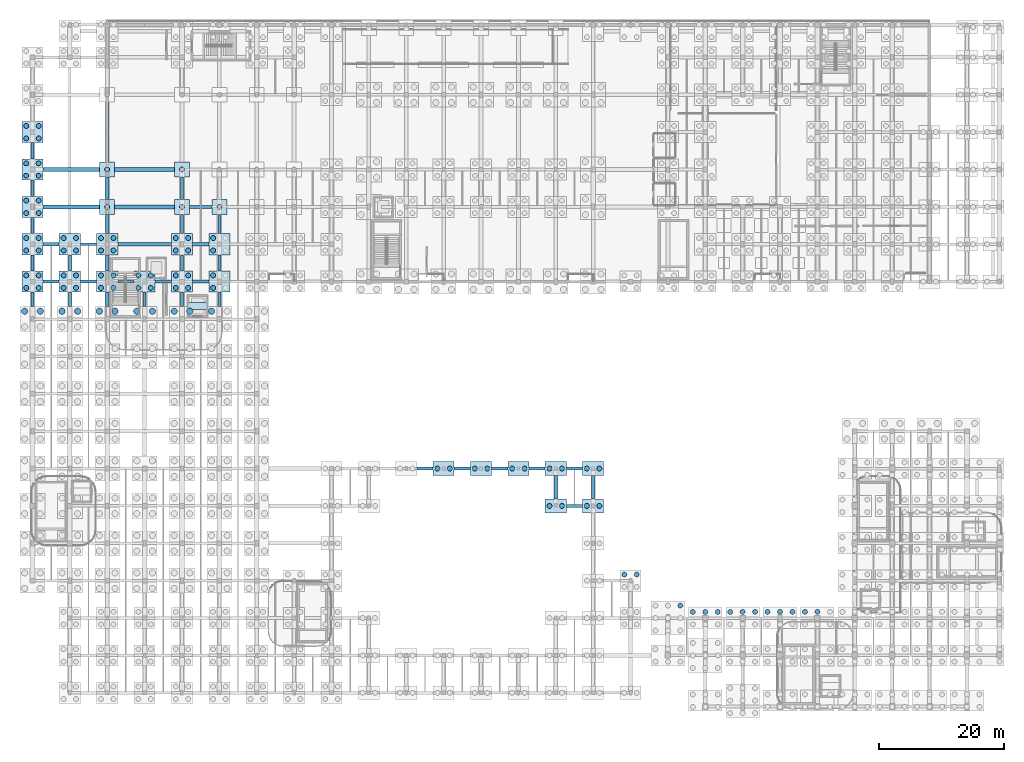
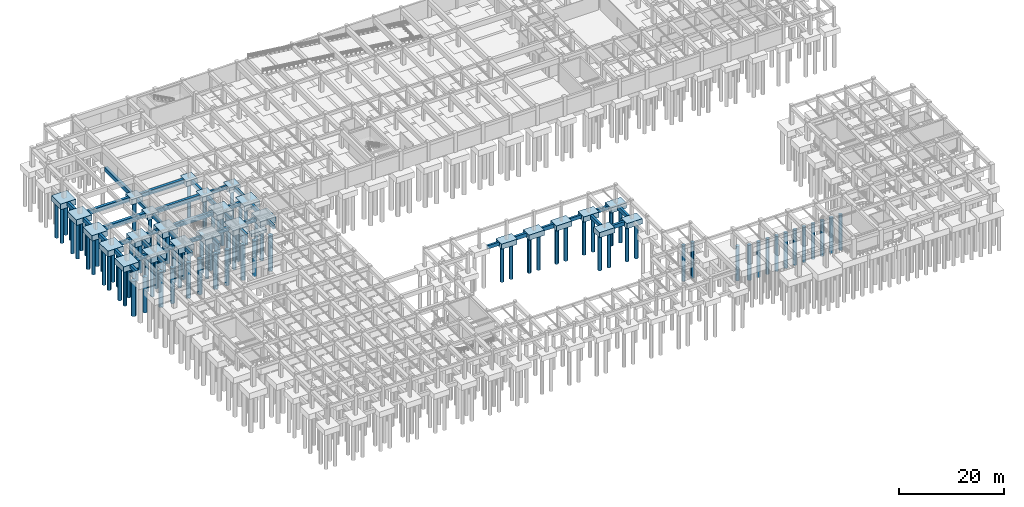
# One storey, part 4 of 32: 96 piles, 69 footings.
"""IFC4 building model written with IfcOpenShell, lengths in metres."""

from ifc_helpers import new_model, si_unit, direction, frame, origin, origin_2d, place, context, subcontext, project, spatial, rectangle, circle, extrude, material, material_profile, profile_set, type_object, element, save


model = new_model("IFC4")

# Units and contexts
model_context = context("Model", 3, precision=1e-05, world=origin(), true_north=direction((0.0, 1.0)))
body_context = subcontext(model_context, "Body", "Model", "MODEL_VIEW")
ifc_project = project(units=[si_unit("LENGTHUNIT", "METRE"), si_unit("AREAUNIT", "SQUARE_METRE"), si_unit("VOLUMEUNIT", "CUBIC_METRE"), si_unit("PLANEANGLEUNIT", "RADIAN"), si_unit("MASSUNIT", "GRAM", prefix="KILO")], contexts=[model_context])

# Site, building, storey
site_placement = place(None, origin())
site = spatial("IfcSite", under=ifc_project, at=site_placement, CompositionType="ELEMENT")
building_placement = place(site_placement, origin())
building = spatial("IfcBuilding", under=site, at=building_placement, Name="Varnakota Square Police Headquarters", CompositionType="ELEMENT")
storey_placement = place(building_placement, frame((0.0, 0.0, -4.5)))
storey = spatial("IfcBuildingStorey", under=building, at=storey_placement, Name="B1", CompositionType="ELEMENT", Elevation=-4.5)

# Footings
ifc_material_1 = material(Name="Concrete M40", Category="concrete")
ifc_material_profile_1 = material_profile(ifc_material_1, rectangle(XDim=0.5, YDim=0.89990234375, at=origin_2d()), Name="GB 500x900")
ifc_profile_set_1 = profile_set([ifc_material_profile_1], Name="Concrete M40")
footing_type_1 = type_object("IfcFootingType", Name="FT-GB1", PredefinedType="FOOTING_BEAM", material=ifc_profile_set_1)
for number, where, z_axis, x_axis, name in (
    (1, (91.699951171875, 33.0, -0.449951171875), (1.0, 0.0, 0.0), (0.0, 1.0, 0.0), "Ground tie beam GB-0047"),
    (2, (73.699951171875, 39.0, -0.449951171875), (1.0, 0.0, 0.0), (0.0, 1.0, 0.0), "Ground tie beam GB-0052"),
    (3, (79.699951171875, 39.0, -0.449951171875), (1.0, 0.0, 0.0), (0.0, 1.0, 0.0), "Ground tie beam GB-0053"),
    (4, (91.699951171875, 39.0, -0.449951171875), (1.0, 0.0, 0.0), (0.0, 1.0, 0.0), "Ground tie beam GB-0055"),
    (5, (7.699951171875, 69.0, -0.449951171875), (1.0, 0.0, 0.0), (0.0, 1.0, 0.0), "Ground tie beam GB-0058"),
    (6, (13.699951171875, 69.0, -0.449951171875), (1.0, 0.0, 0.0), (0.0, 1.0, 0.0), "Ground tie beam GB-0059"),
    (7, (25.699951171875, 69.0, -0.449951171875), (1.0, 0.0, 0.0), (0.0, 1.0, 0.0), "Ground tie beam GB-0061"),
    (8, (31.699951171875, 69.0, -0.449951171875), (1.0, 0.0, 0.0), (0.0, 1.0, 0.0), "Ground tie beam GB-0062"),
    (9, (7.699951171875, 75.0, -0.449951171875), (1.0, 0.0, 0.0), (0.0, 1.0, 0.0), "Ground tie beam GB-0077"),
    (10, (31.699951171875, 75.0, -0.449951171875), (1.0, 0.0, 0.0), (0.0, 1.0, 0.0), "Ground tie beam GB-0080"),
):
    element("IfcFooting", number, at=place(storey_placement, frame(where, z_axis=z_axis, x_axis=x_axis)), inside=storey, type_object=footing_type_1, Name=name, PredefinedType="FOOTING_BEAM", context=body_context, shape_type="SweptSolid", body=[
        extrude(rectangle(XDim=0.5, YDim=0.89990234375, at=origin_2d()), origin(), (0.0, 0.0, 1.0), 2.60009765625),
    ])
footing_1_placement = place(storey_placement, frame((6.0, 65.0, -0.449951171875), z_axis=(0.0, 1.0, 0.0), x_axis=(-1.0, 0.0, 0.0)))
element("IfcFooting", 11, at=footing_1_placement, inside=storey, type_object=footing_type_1, Name="Ground tie beam GB-0183", PredefinedType="FOOTING_BEAM", context=body_context, shape_type="SweptSolid", body=[
    extrude(rectangle(XDim=0.5, YDim=0.89990234375, at=origin_2d()), origin(), (0.0, 0.0, 1.0), 2.300048828125),
])
for number, where, z_axis, x_axis, name in (
    (12, (6.0, 70.699951171875, -0.449951171875), (0.0, 1.0, 0.0), (-1.0, 0.0, 0.0), "Ground tie beam GB-0184"),
    (13, (6.0, 76.699951171875, -0.449951171875), (0.0, 1.0, 0.0), (-1.0, 0.0, 0.0), "Ground tie beam GB-0185"),
    (14, (6.0, 82.699951171875, -0.449951171875), (0.0, 1.0, 0.0), (-1.0, 0.0, 0.0), "Ground tie beam GB-0186"),
    (15, (6.0, 88.699951171875, -0.449951171875), (0.0, 1.0, 0.0), (-1.0, 0.0, 0.0), "Ground tie beam GB-0187"),
):
    element("IfcFooting", number, at=place(storey_placement, frame(where, z_axis=z_axis, x_axis=x_axis)), inside=storey, type_object=footing_type_1, Name=name, PredefinedType="FOOTING_BEAM", context=body_context, shape_type="SweptSolid", body=[
        extrude(rectangle(XDim=0.5, YDim=0.89990234375, at=origin_2d()), origin(), (0.0, 0.0, 1.0), 2.60009765625),
    ])
footing_2_placement = place(storey_placement, frame((12.0, 65.0, -0.449951171875), z_axis=(0.0, 1.0, 0.0), x_axis=(-1.0, 0.0, 0.0)))
element("IfcFooting", 16, at=footing_2_placement, inside=storey, type_object=footing_type_1, Name="Ground tie beam GB-0193", PredefinedType="FOOTING_BEAM", context=body_context, shape_type="SweptSolid", body=[
    extrude(rectangle(XDim=0.5, YDim=0.89990234375, at=origin_2d()), origin(), (0.0, 0.0, 1.0), 2.300048828125),
])
footing_3_placement = place(storey_placement, frame((12.0, 70.699951171875, -0.449951171875), z_axis=(0.0, 1.0, 0.0), x_axis=(-1.0, 0.0, 0.0)))
element("IfcFooting", 17, at=footing_3_placement, inside=storey, type_object=footing_type_1, Name="Ground tie beam GB-0194", PredefinedType="FOOTING_BEAM", context=body_context, shape_type="SweptSolid", body=[
    extrude(rectangle(XDim=0.5, YDim=0.89990234375, at=origin_2d()), origin(), (0.0, 0.0, 1.0), 2.60009765625),
])
footing_4_placement = place(storey_placement, frame((18.0, 65.0, -0.449951171875), z_axis=(0.0, 1.0, 0.0), x_axis=(-1.0, 0.0, 0.0)))
element("IfcFooting", 18, at=footing_4_placement, inside=storey, type_object=footing_type_1, Name="Ground tie beam GB-0198", PredefinedType="FOOTING_BEAM", context=body_context, shape_type="SweptSolid", body=[
    extrude(rectangle(XDim=0.5, YDim=0.89990234375, at=origin_2d()), origin(), (0.0, 0.0, 1.0), 2.300048828125),
])
footing_5_placement = place(storey_placement, frame((18.0, 70.699951171875, -0.449951171875), z_axis=(0.0, 1.0, 0.0), x_axis=(-1.0, 0.0, 0.0)))
element("IfcFooting", 19, at=footing_5_placement, inside=storey, type_object=footing_type_1, Name="Ground tie beam GB-0199", PredefinedType="FOOTING_BEAM", context=body_context, shape_type="SweptSolid", body=[
    extrude(rectangle(XDim=0.5, YDim=0.89990234375, at=origin_2d()), origin(), (0.0, 0.0, 1.0), 2.60009765625),
])
footing_6_placement = place(storey_placement, frame((18.0, 76.699951171875, -0.449951171875), z_axis=(0.0, 1.0, 0.0), x_axis=(-1.0, 0.0, 0.0)))
element("IfcFooting", 20, at=footing_6_placement, inside=storey, type_object=footing_type_1, Name="Ground tie beam GB-0200", PredefinedType="FOOTING_BEAM", context=body_context, shape_type="SweptSolid", body=[
    extrude(rectangle(XDim=0.5, YDim=0.89990234375, at=origin_2d()), origin(), (0.0, 0.0, 1.0), 3.10009765625),
])
footing_7_placement = place(storey_placement, frame((18.0, 82.199951171875, -0.449951171875), z_axis=(0.0, 1.0, 0.0), x_axis=(-1.0, 0.0, 0.0)))
element("IfcFooting", 21, at=footing_7_placement, inside=storey, type_object=footing_type_1, Name="Ground tie beam GB-0201", PredefinedType="FOOTING_BEAM", context=body_context, shape_type="SweptSolid", body=[
    extrude(rectangle(XDim=0.5, YDim=0.89990234375, at=origin_2d()), origin(), (0.0, 0.0, 1.0), 3.60009765625),
])
for number, where, z_axis, x_axis, name in (
    (22, (24.0, 65.0, -0.449951171875), (0.0, 1.0, 0.0), (-1.0, 0.0, 0.0), "Ground tie beam GB-0208"),
    (23, (30.0, 65.0, -0.449951171875), (0.0, 1.0, 0.0), (-1.0, 0.0, 0.0), "Ground tie beam GB-0212"),
):
    element("IfcFooting", number, at=place(storey_placement, frame(where, z_axis=z_axis, x_axis=x_axis)), inside=storey, type_object=footing_type_1, Name=name, PredefinedType="FOOTING_BEAM", context=body_context, shape_type="SweptSolid", body=[
        extrude(rectangle(XDim=0.5, YDim=0.89990234375, at=origin_2d()), origin(), (0.0, 0.0, 1.0), 2.300048828125),
    ])
footing_8_placement = place(storey_placement, frame((30.0, 70.699951171875, -0.449951171875), z_axis=(0.0, 1.0, 0.0), x_axis=(-1.0, 0.0, 0.0)))
element("IfcFooting", 24, at=footing_8_placement, inside=storey, type_object=footing_type_1, Name="Ground tie beam GB-0213", PredefinedType="FOOTING_BEAM", context=body_context, shape_type="SweptSolid", body=[
    extrude(rectangle(XDim=0.5, YDim=0.89990234375, at=origin_2d()), origin(), (0.0, 0.0, 1.0), 2.60009765625),
])
footing_9_placement = place(storey_placement, frame((30.0, 76.699951171875, -0.449951171875), z_axis=(0.0, 1.0, 0.0), x_axis=(-1.0, 0.0, 0.0)))
element("IfcFooting", 25, at=footing_9_placement, inside=storey, type_object=footing_type_1, Name="Ground tie beam GB-0214", PredefinedType="FOOTING_BEAM", context=body_context, shape_type="SweptSolid", body=[
    extrude(rectangle(XDim=0.5, YDim=0.89990234375, at=origin_2d()), origin(), (0.0, 0.0, 1.0), 3.10009765625),
])
footing_10_placement = place(storey_placement, frame((30.0, 82.199951171875, -0.449951171875), z_axis=(0.0, 1.0, 0.0), x_axis=(-1.0, 0.0, 0.0)))
element("IfcFooting", 26, at=footing_10_placement, inside=storey, type_object=footing_type_1, Name="Ground tie beam GB-0215", PredefinedType="FOOTING_BEAM", context=body_context, shape_type="SweptSolid", body=[
    extrude(rectangle(XDim=0.5, YDim=0.89990234375, at=origin_2d()), origin(), (0.0, 0.0, 1.0), 3.60009765625),
])
footing_11_placement = place(storey_placement, frame((36.0, 65.0, -0.449951171875), z_axis=(0.0, 1.0, 0.0), x_axis=(-1.0, 0.0, 0.0)))
element("IfcFooting", 27, at=footing_11_placement, inside=storey, type_object=footing_type_1, Name="Ground tie beam GB-0221", PredefinedType="FOOTING_BEAM", context=body_context, shape_type="SweptSolid", body=[
    extrude(rectangle(XDim=0.5, YDim=0.89990234375, at=origin_2d()), origin(), (0.0, 0.0, 1.0), 2.300048828125),
])
footing_12_placement = place(storey_placement, frame((36.0, 70.699951171875, -0.449951171875), z_axis=(0.0, 1.0, 0.0), x_axis=(-1.0, 0.0, 0.0)))
element("IfcFooting", 28, at=footing_12_placement, inside=storey, type_object=footing_type_1, Name="Ground tie beam GB-0222", PredefinedType="FOOTING_BEAM", context=body_context, shape_type="SweptSolid", body=[
    extrude(rectangle(XDim=0.5, YDim=0.89990234375, at=origin_2d()), origin(), (0.0, 0.0, 1.0), 2.60009765625),
])
footing_13_placement = place(storey_placement, frame((36.0, 76.699951171875, -0.449951171875), z_axis=(0.0, 1.0, 0.0), x_axis=(-1.0, 0.0, 0.0)))
element("IfcFooting", 29, at=footing_13_placement, inside=storey, type_object=footing_type_1, Name="Ground tie beam GB-0223", PredefinedType="FOOTING_BEAM", context=body_context, shape_type="SweptSolid", body=[
    extrude(rectangle(XDim=0.5, YDim=0.89990234375, at=origin_2d()), origin(), (0.0, 0.0, 1.0), 3.10009765625),
])
for number, where, z_axis, x_axis, name in (
    (30, (90.0, 34.10009765625, -0.449951171875), (0.0, 1.0, 0.0), (-1.0, 0.0, 0.0), "Ground tie beam GB-0283"),
    (31, (96.0, 34.10009765625, -0.449951171875), (0.0, 1.0, 0.0), (-1.0, 0.0, 0.0), "Ground tie beam GB-0293"),
):
    element("IfcFooting", number, at=place(storey_placement, frame(where, z_axis=z_axis, x_axis=x_axis)), inside=storey, type_object=footing_type_1, Name=name, PredefinedType="FOOTING_BEAM", context=body_context, shape_type="SweptSolid", body=[
        extrude(rectangle(XDim=0.5, YDim=0.89990234375, at=origin_2d()), origin(), (0.0, 0.0, 1.0), 3.7998046875),
    ])
ifc_material_profile_2 = material_profile(ifc_material_1, rectangle(XDim=0.60009765625, YDim=1.0, at=origin_2d()), Name="GB 600x1000")
ifc_profile_set_2 = profile_set([ifc_material_profile_2], Name="Concrete M40")
footing_type_2 = type_object("IfcFootingType", Name="FT-GB2", PredefinedType="FOOTING_BEAM", material=ifc_profile_set_2)
footing_14_placement = place(storey_placement, frame((19.699951171875, 75.0, -0.5), z_axis=(1.0, 0.0, 0.0), x_axis=(0.0, 1.0, 0.0)))
element("IfcFooting", 32, at=footing_14_placement, inside=storey, type_object=footing_type_2, Name="Ground tie beam GB-0079", PredefinedType="FOOTING_BEAM", context=body_context, shape_type="SweptSolid", body=[
    extrude(rectangle(XDim=0.60009765625, YDim=1.0, at=origin_2d()), origin(), (0.0, 0.0, 1.0), 8.60009765625),
])
footing_15_placement = place(storey_placement, frame((7.699951171875, 81.0, -0.5), z_axis=(1.0, 0.0, 0.0), x_axis=(0.0, 1.0, 0.0)))
element("IfcFooting", 33, at=footing_15_placement, inside=storey, type_object=footing_type_2, Name="Ground tie beam GB-0091", PredefinedType="FOOTING_BEAM", context=body_context, shape_type="SweptSolid", body=[
    extrude(rectangle(XDim=0.60009765625, YDim=1.0, at=origin_2d()), origin(), (0.0, 0.0, 1.0), 9.10009765625),
])
footing_16_placement = place(storey_placement, frame((19.199951171875, 81.0, -0.5), z_axis=(1.0, 0.0, 0.0), x_axis=(0.0, 1.0, 0.0)))
element("IfcFooting", 34, at=footing_16_placement, inside=storey, type_object=footing_type_2, Name="Ground tie beam GB-0092", PredefinedType="FOOTING_BEAM", context=body_context, shape_type="SweptSolid", body=[
    extrude(rectangle(XDim=0.60009765625, YDim=1.0, at=origin_2d()), origin(), (0.0, 0.0, 1.0), 9.60009765625),
])
footing_17_placement = place(storey_placement, frame((7.699951171875, 87.0, -0.5), z_axis=(1.0, 0.0, 0.0), x_axis=(0.0, 1.0, 0.0)))
element("IfcFooting", 35, at=footing_17_placement, inside=storey, type_object=footing_type_2, Name="Ground tie beam GB-0113", PredefinedType="FOOTING_BEAM", context=body_context, shape_type="SweptSolid", body=[
    extrude(rectangle(XDim=0.60009765625, YDim=1.0, at=origin_2d()), origin(), (0.0, 0.0, 1.0), 9.10009765625),
])
for number, where, z_axis, x_axis, name in (
    (36, (19.199951171875, 87.0, -0.5), (1.0, 0.0, 0.0), (0.0, 1.0, 0.0), "Ground tie beam GB-0114"),
    (37, (18.0, 88.199951171875, -0.5), (0.0, 1.0, 0.0), (-1.0, 0.0, 0.0), "Ground tie beam GB-0202"),
):
    element("IfcFooting", number, at=place(storey_placement, frame(where, z_axis=z_axis, x_axis=x_axis)), inside=storey, type_object=footing_type_2, Name=name, PredefinedType="FOOTING_BEAM", context=body_context, shape_type="SweptSolid", body=[
        extrude(rectangle(XDim=0.60009765625, YDim=1.0, at=origin_2d()), origin(), (0.0, 0.0, 1.0), 9.60009765625),
    ])
ifc_material_profile_3 = material_profile(ifc_material_1, rectangle(XDim=0.449951171875, YDim=0.800048828125, at=origin_2d()), Name="GB 450x800")
ifc_profile_set_3 = profile_set([ifc_material_profile_3], Name="Concrete M40")
footing_type_3 = type_object("IfcFootingType", Name="FT-GB3", PredefinedType="FOOTING_BEAM", material=ifc_profile_set_3)
for number, where, z_axis, x_axis, name in (
    (38, (67.699951171875, 39.0, -0.39990234375), (1.0, 0.0, 0.0), (0.0, 1.0, 0.0), "Ground tie beam GB-0051"),
    (39, (85.699951171875, 39.0, -0.39990234375), (1.0, 0.0, 0.0), (0.0, 1.0, 0.0), "Ground tie beam GB-0054"),
    (40, (19.699951171875, 69.0, -0.39990234375), (1.0, 0.0, 0.0), (0.0, 1.0, 0.0), "Ground tie beam GB-0060"),
    (41, (13.699951171875, 75.0, -0.39990234375), (1.0, 0.0, 0.0), (0.0, 1.0, 0.0), "Ground tie beam GB-0078"),
):
    element("IfcFooting", number, at=place(storey_placement, frame(where, z_axis=z_axis, x_axis=x_axis)), inside=storey, type_object=footing_type_3, Name=name, PredefinedType="FOOTING_BEAM", context=body_context, shape_type="SweptSolid", body=[
        extrude(rectangle(XDim=0.449951171875, YDim=0.800048828125, at=origin_2d()), origin(), (0.0, 0.0, 1.0), 2.60009765625),
    ])
footing_18_placement = place(storey_placement, frame((31.199951171875, 81.0, -0.39990234375), z_axis=(1.0, 0.0, 0.0), x_axis=(0.0, 1.0, 0.0)))
element("IfcFooting", 42, at=footing_18_placement, inside=storey, type_object=footing_type_3, Name="Ground tie beam GB-0093", PredefinedType="FOOTING_BEAM", context=body_context, shape_type="SweptSolid", body=[
    extrude(rectangle(XDim=0.449951171875, YDim=0.800048828125, at=origin_2d()), origin(), (0.0, 0.0, 1.0), 3.60009765625),
])
footing_type_4 = type_object("IfcFootingType", Name="FT-PC1", PredefinedType="PILE_CAP", material=ifc_material_1)
for number, where, z_axis, x_axis, name in (
    (43, (18.0, 81.0, -1.2001953125), (0.0, 0.0, 1.0), (1.0, 0.0, 0.0), "Pile cap CAP-X0180-Y0810"),
    (44, (18.0, 87.0, -1.2001953125), (0.0, 0.0, 1.0), (1.0, 0.0, 0.0), "Pile cap CAP-X0180-Y0870"),
    (45, (30.0, 81.0, -1.2001953125), (0.0, 0.0, 1.0), (1.0, 0.0, 0.0), "Pile cap CAP-X0300-Y0810"),
    (46, (30.0, 87.0, -1.2001953125), (0.0, 0.0, 1.0), (1.0, 0.0, 0.0), "Pile cap CAP-X0300-Y0870"),
    (47, (36.0, 81.0, -1.2001953125), (0.0, 0.0, 1.0), (1.0, 0.0, 0.0), "Pile cap CAP-X0360-Y0810"),
):
    element("IfcFooting", number, at=place(storey_placement, frame(where, z_axis=z_axis, x_axis=x_axis)), inside=storey, type_object=footing_type_4, Name=name, PredefinedType="PILE_CAP", context=body_context, shape_type="SweptSolid", body=[
        extrude(rectangle(XDim=2.39990234375, YDim=2.39990234375, at=origin_2d()), origin(), (0.0, 0.0, 1.0), 1.199951171875),
    ])
footing_type_5 = type_object("IfcFootingType", Name="FT-PC2", PredefinedType="PILE_CAP", material=ifc_material_1)
for number, where, z_axis, x_axis, name in (
    (48, (72.0, 39.0, -1.2001953125), (0.0, 0.0, 1.0), (1.0, 0.0, 0.0), "Pile cap CAP-X0720-Y0390"),
    (49, (78.0, 39.0, -1.2001953125), (0.0, 0.0, 1.0), (1.0, 0.0, 0.0), "Pile cap CAP-X0780-Y0390"),
    (50, (84.0, 39.0, -1.2001953125), (0.0, 0.0, 1.0), (1.0, 0.0, 0.0), "Pile cap CAP-X0840-Y0390"),
    (51, (90.0, 33.0, -1.2001953125), (0.0, 0.0, 1.0), (1.0, 0.0, 0.0), "Pile cap CAP-X0900-Y0330"),
    (52, (90.0, 39.0, -1.2001953125), (0.0, 0.0, 1.0), (1.0, 0.0, 0.0), "Pile cap CAP-X0900-Y0390"),
    (53, (96.0, 33.0, -1.2001953125), (0.0, 0.0, 1.0), (1.0, 0.0, 0.0), "Pile cap CAP-X0960-Y0330"),
    (54, (96.0, 39.0, -1.2001953125), (0.0, 0.0, 1.0), (1.0, 0.0, 0.0), "Pile cap CAP-X0960-Y0390"),
):
    element("IfcFooting", number, at=place(storey_placement, frame(where, z_axis=z_axis, x_axis=x_axis)), inside=storey, type_object=footing_type_5, Name=name, PredefinedType="PILE_CAP", context=body_context, shape_type="SweptSolid", body=[
        extrude(rectangle(XDim=3.39990234375, YDim=2.199951171875, at=origin_2d()), origin(), (0.0, 0.0, 1.0), 1.199951171875),
    ])
footing_type_6 = type_object("IfcFootingType", Name="FT-PC4", PredefinedType="PILE_CAP", material=ifc_material_1)
for number, where, z_axis, x_axis, name in (
    (55, (6.0, 69.0, -1.2998046875), (0.0, 0.0, 1.0), (1.0, 0.0, 0.0), "Pile cap CAP-X0060-Y0690"),
    (56, (6.0, 75.0, -1.2998046875), (0.0, 0.0, 1.0), (1.0, 0.0, 0.0), "Pile cap CAP-X0060-Y0750"),
    (57, (6.0, 81.0, -1.2998046875), (0.0, 0.0, 1.0), (1.0, 0.0, 0.0), "Pile cap CAP-X0060-Y0810"),
    (58, (6.0, 87.0, -1.2998046875), (0.0, 0.0, 1.0), (1.0, 0.0, 0.0), "Pile cap CAP-X0060-Y0870"),
    (59, (6.0, 93.0, -1.2998046875), (0.0, 0.0, 1.0), (1.0, 0.0, 0.0), "Pile cap CAP-X0060-Y0930"),
    (60, (12.0, 69.0, -1.2998046875), (0.0, 0.0, 1.0), (1.0, 0.0, 0.0), "Pile cap CAP-X0120-Y0690"),
    (61, (12.0, 75.0, -1.2998046875), (0.0, 0.0, 1.0), (1.0, 0.0, 0.0), "Pile cap CAP-X0120-Y0750"),
    (62, (18.0, 69.0, -1.2998046875), (0.0, 0.0, 1.0), (1.0, 0.0, 0.0), "Pile cap CAP-X0180-Y0690"),
    (63, (18.0, 75.0, -1.2998046875), (0.0, 0.0, 1.0), (1.0, 0.0, 0.0), "Pile cap CAP-X0180-Y0750"),
    (64, (24.0, 69.0, -1.2998046875), (0.0, 0.0, 1.0), (1.0, 0.0, 0.0), "Pile cap CAP-X0240-Y0690"),
    (65, (30.0, 69.0, -1.2998046875), (0.0, 0.0, 1.0), (1.0, 0.0, 0.0), "Pile cap CAP-X0300-Y0690"),
    (66, (30.0, 75.0, -1.2998046875), (0.0, 0.0, 1.0), (1.0, 0.0, 0.0), "Pile cap CAP-X0300-Y0750"),
    (67, (36.0, 69.0, -1.2998046875), (0.0, 0.0, 1.0), (1.0, 0.0, 0.0), "Pile cap CAP-X0360-Y0690"),
    (68, (36.0, 75.0, -1.2998046875), (0.0, 0.0, 1.0), (1.0, 0.0, 0.0), "Pile cap CAP-X0360-Y0750"),
):
    element("IfcFooting", number, at=place(storey_placement, frame(where, z_axis=z_axis, x_axis=x_axis)), inside=storey, type_object=footing_type_6, Name=name, PredefinedType="PILE_CAP", context=body_context, shape_type="SweptSolid", body=[
        extrude(rectangle(XDim=3.39990234375, YDim=3.39990234375, at=origin_2d()), origin(), (0.0, 0.0, 1.0), 1.300048828125),
    ])
ifc_material_profile_4 = material_profile(ifc_material_1, rectangle(XDim=1.10009765625, YDim=0.699951171875, at=origin_2d()), Name="SF 1100x700")
ifc_profile_set_4 = profile_set([ifc_material_profile_4], Name="Concrete M40")
footing_type_7 = type_object("IfcFootingType", Name="FT-SF2", PredefinedType="STRIP_FOOTING", material=ifc_profile_set_4)
footing_19_placement = place(storey_placement, frame((30.800048828125, 65.10009765625, -0.35009765625), z_axis=(1.0, 0.0, 0.0), x_axis=(0.0, 1.0, 0.0)))
element("IfcFooting", 69, at=footing_19_placement, inside=storey, type_object=footing_type_7, Name="Strip footing SF-11", PredefinedType="STRIP_FOOTING", context=body_context, shape_type="SweptSolid", body=[
    extrude(rectangle(XDim=1.10009765625, YDim=0.699951171875, at=origin_2d()), origin(), (0.0, 0.0, 1.0), 3.39990234375),
])

# Piles
ifc_material_2 = material(Name="Concrete M50", Category="concrete")
ifc_material_profile_5 = material_profile(ifc_material_2, circle(Radius=0.5, at=origin_2d()), Name="BORED PILE 1000")
ifc_profile_set_5 = profile_set([ifc_material_profile_5], Name="Concrete M50")
pile_type_1 = type_object("IfcPileType", Name="PILE-D1000", PredefinedType="BORED", material=ifc_profile_set_5)
for number, where, z_axis, x_axis, name in (
    (70, (4.75, 64.25, -1.300048828125), (0.0, 0.0, -1.0), (1.0, 0.0, 0.0), "Bored pile PLG-0030"),
    (71, (7.25, 64.25, -1.300048828125), (0.0, 0.0, -1.0), (1.0, 0.0, 0.0), "Bored pile PLG-0032"),
    (72, (10.75, 64.25, -1.300048828125), (0.0, 0.0, -1.0), (1.0, 0.0, 0.0), "Bored pile PLG-0102"),
    (73, (13.25, 64.25, -1.300048828125), (0.0, 0.0, -1.0), (1.0, 0.0, 0.0), "Bored pile PLG-0104"),
    (74, (16.75, 64.25, -1.300048828125), (0.0, 0.0, -1.0), (1.0, 0.0, 0.0), "Bored pile PLG-0162"),
    (75, (19.25, 64.25, -1.300048828125), (0.0, 0.0, -1.0), (1.0, 0.0, 0.0), "Bored pile PLG-0164"),
    (76, (22.75, 64.25, -1.300048828125), (0.0, 0.0, -1.0), (1.0, 0.0, 0.0), "Bored pile PLG-0217"),
    (77, (25.25, 64.25, -1.300048828125), (0.0, 0.0, -1.0), (1.0, 0.0, 0.0), "Bored pile PLG-0219"),
    (78, (28.75, 64.25, -1.300048828125), (0.0, 0.0, -1.0), (1.0, 0.0, 0.0), "Bored pile PLG-0265"),
    (79, (31.25, 64.25, -1.300048828125), (0.0, 0.0, -1.0), (1.0, 0.0, 0.0), "Bored pile PLG-0267"),
    (80, (34.75, 64.25, -1.300048828125), (0.0, 0.0, -1.0), (1.0, 0.0, 0.0), "Bored pile PLG-0328"),
):
    element("IfcPile", number, at=place(storey_placement, frame(where, z_axis=z_axis, x_axis=x_axis)), inside=storey, type_object=pile_type_1, Name=name, PredefinedType="BORED", context=body_context, shape_type="SweptSolid", body=[
        extrude(circle(Radius=0.5, at=origin_2d()), origin(), (0.0, 0.0, 1.0), 8.199951171875),
    ])
ifc_material_profile_6 = material_profile(ifc_material_1, circle(Radius=0.39990234375, at=origin_2d()), Name="BORED PILE 800")
ifc_profile_set_6 = profile_set([ifc_material_profile_6], Name="Concrete M40")
pile_type_2 = type_object("IfcPileType", Name="PILE-D800", PredefinedType="BORED", material=ifc_profile_set_6)
for number, where, z_axis, x_axis, name in (
    (81, (5.0, 68.0, -1.199951171875), (0.0, 0.0, -1.0), (1.0, 0.0, 0.0), "Bored pile PLG-0033"),
    (82, (5.0, 70.0, -1.199951171875), (0.0, 0.0, -1.0), (1.0, 0.0, 0.0), "Bored pile PLG-0034"),
    (83, (7.0, 68.0, -1.199951171875), (0.0, 0.0, -1.0), (1.0, 0.0, 0.0), "Bored pile PLG-0035"),
    (84, (7.0, 70.0, -1.199951171875), (0.0, 0.0, -1.0), (1.0, 0.0, 0.0), "Bored pile PLG-0036"),
    (85, (5.0, 74.0, -1.199951171875), (0.0, 0.0, -1.0), (1.0, 0.0, 0.0), "Bored pile PLG-0037"),
    (86, (5.0, 76.0, -1.199951171875), (0.0, 0.0, -1.0), (1.0, 0.0, 0.0), "Bored pile PLG-0038"),
    (87, (7.0, 74.0, -1.199951171875), (0.0, 0.0, -1.0), (1.0, 0.0, 0.0), "Bored pile PLG-0039"),
    (88, (7.0, 76.0, -1.199951171875), (0.0, 0.0, -1.0), (1.0, 0.0, 0.0), "Bored pile PLG-0040"),
    (89, (5.0, 80.0, -1.199951171875), (0.0, 0.0, -1.0), (1.0, 0.0, 0.0), "Bored pile PLG-0041"),
    (90, (5.0, 82.0, -1.199951171875), (0.0, 0.0, -1.0), (1.0, 0.0, 0.0), "Bored pile PLG-0042"),
    (91, (7.0, 80.0, -1.199951171875), (0.0, 0.0, -1.0), (1.0, 0.0, 0.0), "Bored pile PLG-0043"),
    (92, (7.0, 82.0, -1.199951171875), (0.0, 0.0, -1.0), (1.0, 0.0, 0.0), "Bored pile PLG-0044"),
    (93, (5.0, 86.0, -1.199951171875), (0.0, 0.0, -1.0), (1.0, 0.0, 0.0), "Bored pile PLG-0045"),
    (94, (5.0, 88.0, -1.199951171875), (0.0, 0.0, -1.0), (1.0, 0.0, 0.0), "Bored pile PLG-0046"),
    (95, (7.0, 86.0, -1.199951171875), (0.0, 0.0, -1.0), (1.0, 0.0, 0.0), "Bored pile PLG-0047"),
    (96, (7.0, 88.0, -1.199951171875), (0.0, 0.0, -1.0), (1.0, 0.0, 0.0), "Bored pile PLG-0048"),
    (97, (5.0, 92.0, -1.199951171875), (0.0, 0.0, -1.0), (1.0, 0.0, 0.0), "Bored pile PLG-0049"),
    (98, (5.0, 94.0, -1.199951171875), (0.0, 0.0, -1.0), (1.0, 0.0, 0.0), "Bored pile PLG-0050"),
    (99, (7.0, 92.0, -1.199951171875), (0.0, 0.0, -1.0), (1.0, 0.0, 0.0), "Bored pile PLG-0051"),
    (100, (7.0, 94.0, -1.199951171875), (0.0, 0.0, -1.0), (1.0, 0.0, 0.0), "Bored pile PLG-0052"),
    (101, (11.0, 68.0, -1.199951171875), (0.0, 0.0, -1.0), (1.0, 0.0, 0.0), "Bored pile PLG-0105"),
    (102, (11.0, 70.0, -1.199951171875), (0.0, 0.0, -1.0), (1.0, 0.0, 0.0), "Bored pile PLG-0106"),
    (103, (13.0, 68.0, -1.199951171875), (0.0, 0.0, -1.0), (1.0, 0.0, 0.0), "Bored pile PLG-0107"),
    (104, (13.0, 70.0, -1.199951171875), (0.0, 0.0, -1.0), (1.0, 0.0, 0.0), "Bored pile PLG-0108"),
    (105, (11.0, 74.0, -1.199951171875), (0.0, 0.0, -1.0), (1.0, 0.0, 0.0), "Bored pile PLG-0109"),
    (106, (11.0, 76.0, -1.199951171875), (0.0, 0.0, -1.0), (1.0, 0.0, 0.0), "Bored pile PLG-0110"),
    (107, (13.0, 74.0, -1.199951171875), (0.0, 0.0, -1.0), (1.0, 0.0, 0.0), "Bored pile PLG-0111"),
    (108, (13.0, 76.0, -1.199951171875), (0.0, 0.0, -1.0), (1.0, 0.0, 0.0), "Bored pile PLG-0112"),
    (109, (17.0, 68.0, -1.199951171875), (0.0, 0.0, -1.0), (1.0, 0.0, 0.0), "Bored pile PLG-0165"),
    (110, (17.0, 70.0, -1.199951171875), (0.0, 0.0, -1.0), (1.0, 0.0, 0.0), "Bored pile PLG-0166"),
    (111, (19.0, 68.0, -1.199951171875), (0.0, 0.0, -1.0), (1.0, 0.0, 0.0), "Bored pile PLG-0167"),
    (112, (19.0, 70.0, -1.199951171875), (0.0, 0.0, -1.0), (1.0, 0.0, 0.0), "Bored pile PLG-0168"),
    (113, (17.0, 74.0, -1.199951171875), (0.0, 0.0, -1.0), (1.0, 0.0, 0.0), "Bored pile PLG-0169"),
    (114, (17.0, 76.0, -1.199951171875), (0.0, 0.0, -1.0), (1.0, 0.0, 0.0), "Bored pile PLG-0170"),
    (115, (19.0, 74.0, -1.199951171875), (0.0, 0.0, -1.0), (1.0, 0.0, 0.0), "Bored pile PLG-0171"),
    (116, (19.0, 76.0, -1.199951171875), (0.0, 0.0, -1.0), (1.0, 0.0, 0.0), "Bored pile PLG-0172"),
):
    element("IfcPile", number, at=place(storey_placement, frame(where, z_axis=z_axis, x_axis=x_axis)), inside=storey, type_object=pile_type_2, Name=name, PredefinedType="BORED", context=body_context, shape_type="SweptSolid", body=[
        extrude(circle(Radius=0.39990234375, at=origin_2d()), origin(), (0.0, 0.0, 1.0), 8.300048828125),
    ])
for number, where, z_axis, x_axis, name in (
    (117, (18.0, 81.0, -1.10009765625), (0.0, 0.0, -1.0), (1.0, 0.0, 0.0), "Bored pile PLG-0173"),
    (118, (18.0, 87.0, -1.10009765625), (0.0, 0.0, -1.0), (1.0, 0.0, 0.0), "Bored pile PLG-0174"),
):
    element("IfcPile", number, at=place(storey_placement, frame(where, z_axis=z_axis, x_axis=x_axis)), inside=storey, type_object=pile_type_2, Name=name, PredefinedType="BORED", context=body_context, shape_type="SweptSolid", body=[
        extrude(circle(Radius=0.39990234375, at=origin_2d()), origin(), (0.0, 0.0, 1.0), 8.39990234375),
    ])
for number, where, z_axis, x_axis, name in (
    (119, (23.0, 68.0, -1.199951171875), (0.0, 0.0, -1.0), (1.0, 0.0, 0.0), "Bored pile PLG-0220"),
    (120, (23.0, 70.0, -1.199951171875), (0.0, 0.0, -1.0), (1.0, 0.0, 0.0), "Bored pile PLG-0221"),
    (121, (25.0, 68.0, -1.199951171875), (0.0, 0.0, -1.0), (1.0, 0.0, 0.0), "Bored pile PLG-0222"),
    (122, (25.0, 70.0, -1.199951171875), (0.0, 0.0, -1.0), (1.0, 0.0, 0.0), "Bored pile PLG-0223"),
    (123, (29.0, 68.0, -1.199951171875), (0.0, 0.0, -1.0), (1.0, 0.0, 0.0), "Bored pile PLG-0268"),
    (124, (29.0, 70.0, -1.199951171875), (0.0, 0.0, -1.0), (1.0, 0.0, 0.0), "Bored pile PLG-0269"),
    (125, (31.0, 68.0, -1.199951171875), (0.0, 0.0, -1.0), (1.0, 0.0, 0.0), "Bored pile PLG-0270"),
    (126, (31.0, 70.0, -1.199951171875), (0.0, 0.0, -1.0), (1.0, 0.0, 0.0), "Bored pile PLG-0271"),
    (127, (29.0, 74.0, -1.199951171875), (0.0, 0.0, -1.0), (1.0, 0.0, 0.0), "Bored pile PLG-0272"),
    (128, (29.0, 76.0, -1.199951171875), (0.0, 0.0, -1.0), (1.0, 0.0, 0.0), "Bored pile PLG-0273"),
    (129, (31.0, 74.0, -1.199951171875), (0.0, 0.0, -1.0), (1.0, 0.0, 0.0), "Bored pile PLG-0274"),
    (130, (31.0, 76.0, -1.199951171875), (0.0, 0.0, -1.0), (1.0, 0.0, 0.0), "Bored pile PLG-0275"),
):
    element("IfcPile", number, at=place(storey_placement, frame(where, z_axis=z_axis, x_axis=x_axis)), inside=storey, type_object=pile_type_2, Name=name, PredefinedType="BORED", context=body_context, shape_type="SweptSolid", body=[
        extrude(circle(Radius=0.39990234375, at=origin_2d()), origin(), (0.0, 0.0, 1.0), 8.300048828125),
    ])
for number, where, z_axis, x_axis, name in (
    (131, (30.0, 81.0, -1.10009765625), (0.0, 0.0, -1.0), (1.0, 0.0, 0.0), "Bored pile PLG-0276"),
    (132, (30.0, 87.0, -1.10009765625), (0.0, 0.0, -1.0), (1.0, 0.0, 0.0), "Bored pile PLG-0277"),
):
    element("IfcPile", number, at=place(storey_placement, frame(where, z_axis=z_axis, x_axis=x_axis)), inside=storey, type_object=pile_type_2, Name=name, PredefinedType="BORED", context=body_context, shape_type="SweptSolid", body=[
        extrude(circle(Radius=0.39990234375, at=origin_2d()), origin(), (0.0, 0.0, 1.0), 8.39990234375),
    ])
for number, where, z_axis, x_axis, name in (
    (133, (35.0, 68.0, -1.199951171875), (0.0, 0.0, -1.0), (1.0, 0.0, 0.0), "Bored pile PLG-0331"),
    (134, (35.0, 70.0, -1.199951171875), (0.0, 0.0, -1.0), (1.0, 0.0, 0.0), "Bored pile PLG-0332"),
    (135, (35.0, 74.0, -1.199951171875), (0.0, 0.0, -1.0), (1.0, 0.0, 0.0), "Bored pile PLG-0335"),
    (136, (35.0, 76.0, -1.199951171875), (0.0, 0.0, -1.0), (1.0, 0.0, 0.0), "Bored pile PLG-0336"),
):
    element("IfcPile", number, at=place(storey_placement, frame(where, z_axis=z_axis, x_axis=x_axis)), inside=storey, type_object=pile_type_2, Name=name, PredefinedType="BORED", context=body_context, shape_type="SweptSolid", body=[
        extrude(circle(Radius=0.39990234375, at=origin_2d()), origin(), (0.0, 0.0, 1.0), 8.300048828125),
    ])
for number, where, z_axis, x_axis, name in (
    (137, (36.0, 81.0, -1.10009765625), (0.0, 0.0, -1.0), (1.0, 0.0, 0.0), "Bored pile PLG-0339"),
    (138, (71.0, 39.0, -1.10009765625), (0.0, 0.0, -1.0), (1.0, 0.0, 0.0), "Bored pile PLG-0544"),
    (139, (73.0, 39.0, -1.10009765625), (0.0, 0.0, -1.0), (1.0, 0.0, 0.0), "Bored pile PLG-0545"),
    (140, (77.0, 39.0, -1.10009765625), (0.0, 0.0, -1.0), (1.0, 0.0, 0.0), "Bored pile PLG-0567"),
    (141, (79.0, 39.0, -1.10009765625), (0.0, 0.0, -1.0), (1.0, 0.0, 0.0), "Bored pile PLG-0568"),
    (142, (83.0, 39.0, -1.10009765625), (0.0, 0.0, -1.0), (1.0, 0.0, 0.0), "Bored pile PLG-0590"),
    (143, (85.0, 39.0, -1.10009765625), (0.0, 0.0, -1.0), (1.0, 0.0, 0.0), "Bored pile PLG-0591"),
    (144, (89.0, 33.0, -1.10009765625), (0.0, 0.0, -1.0), (1.0, 0.0, 0.0), "Bored pile PLG-0615"),
    (145, (91.0, 33.0, -1.10009765625), (0.0, 0.0, -1.0), (1.0, 0.0, 0.0), "Bored pile PLG-0616"),
    (146, (89.0, 39.0, -1.10009765625), (0.0, 0.0, -1.0), (1.0, 0.0, 0.0), "Bored pile PLG-0617"),
    (147, (91.0, 39.0, -1.10009765625), (0.0, 0.0, -1.0), (1.0, 0.0, 0.0), "Bored pile PLG-0618"),
    (148, (95.0, 33.0, -1.10009765625), (0.0, 0.0, -1.0), (1.0, 0.0, 0.0), "Bored pile PLG-0646"),
    (149, (97.0, 33.0, -1.10009765625), (0.0, 0.0, -1.0), (1.0, 0.0, 0.0), "Bored pile PLG-0647"),
    (150, (95.0, 39.0, -1.10009765625), (0.0, 0.0, -1.0), (1.0, 0.0, 0.0), "Bored pile PLG-0648"),
    (151, (97.0, 39.0, -1.10009765625), (0.0, 0.0, -1.0), (1.0, 0.0, 0.0), "Bored pile PLG-0649"),
):
    element("IfcPile", number, at=place(storey_placement, frame(where, z_axis=z_axis, x_axis=x_axis)), inside=storey, type_object=pile_type_2, Name=name, PredefinedType="BORED", context=body_context, shape_type="SweptSolid", body=[
        extrude(circle(Radius=0.39990234375, at=origin_2d()), origin(), (0.0, 0.0, 1.0), 8.39990234375),
    ])
for number, where, z_axis, x_axis, name in (
    (152, (101.0, 22.0, -1.199951171875), (0.0, 0.0, -1.0), (1.0, 0.0, 0.0), "Bored pile PLG-0677"),
    (153, (103.0, 22.0, -1.199951171875), (0.0, 0.0, -1.0), (1.0, 0.0, 0.0), "Bored pile PLG-0679"),
):
    element("IfcPile", number, at=place(storey_placement, frame(where, z_axis=z_axis, x_axis=x_axis)), inside=storey, type_object=pile_type_2, Name=name, PredefinedType="BORED", context=body_context, shape_type="SweptSolid", body=[
        extrude(circle(Radius=0.39990234375, at=origin_2d()), origin(), (0.0, 0.0, 1.0), 8.300048828125),
    ])
pile_placement = place(storey_placement, frame((110.0, 17.0, -1.5), z_axis=(0.0, 0.0, -1.0), x_axis=(1.0, 0.0, 0.0)))
element("IfcPile", 154, at=pile_placement, inside=storey, type_object=pile_type_2, Name="Bored pile PLG-0702", PredefinedType="BORED", context=body_context, shape_type="SweptSolid", body=[
    extrude(circle(Radius=0.39990234375, at=origin_2d()), origin(), (0.0, 0.0, 1.0), 8.0),
])
for number, where, z_axis, x_axis, name in (
    (155, (112.0, 16.0, -1.300048828125), (0.0, 0.0, -1.0), (1.0, 0.0, 0.0), "Bored pile PLG-0747"),
    (156, (114.0, 16.0, -1.300048828125), (0.0, 0.0, -1.0), (1.0, 0.0, 0.0), "Bored pile PLG-0749"),
    (157, (116.0, 16.0, -1.300048828125), (0.0, 0.0, -1.0), (1.0, 0.0, 0.0), "Bored pile PLG-0751"),
    (158, (118.0, 16.0, -1.300048828125), (0.0, 0.0, -1.0), (1.0, 0.0, 0.0), "Bored pile PLG-0800"),
    (159, (120.0, 16.0, -1.300048828125), (0.0, 0.0, -1.0), (1.0, 0.0, 0.0), "Bored pile PLG-0802"),
    (160, (122.0, 16.0, -1.300048828125), (0.0, 0.0, -1.0), (1.0, 0.0, 0.0), "Bored pile PLG-0804"),
    (161, (124.0, 16.0, -1.300048828125), (0.0, 0.0, -1.0), (1.0, 0.0, 0.0), "Bored pile PLG-0842"),
    (162, (126.0, 16.0, -1.300048828125), (0.0, 0.0, -1.0), (1.0, 0.0, 0.0), "Bored pile PLG-0844"),
    (163, (128.0, 16.0, -1.300048828125), (0.0, 0.0, -1.0), (1.0, 0.0, 0.0), "Bored pile PLG-0846"),
    (164, (130.0, 16.0, -1.300048828125), (0.0, 0.0, -1.0), (1.0, 0.0, 0.0), "Bored pile PLG-0884"),
    (165, (132.0, 16.0, -1.300048828125), (0.0, 0.0, -1.0), (1.0, 0.0, 0.0), "Bored pile PLG-0886"),
):
    element("IfcPile", number, at=place(storey_placement, frame(where, z_axis=z_axis, x_axis=x_axis)), inside=storey, type_object=pile_type_2, Name=name, PredefinedType="BORED", context=body_context, shape_type="SweptSolid", body=[
        extrude(circle(Radius=0.39990234375, at=origin_2d()), origin(), (0.0, 0.0, 1.0), 8.199951171875),
    ])

save(model, "model.ifc")
